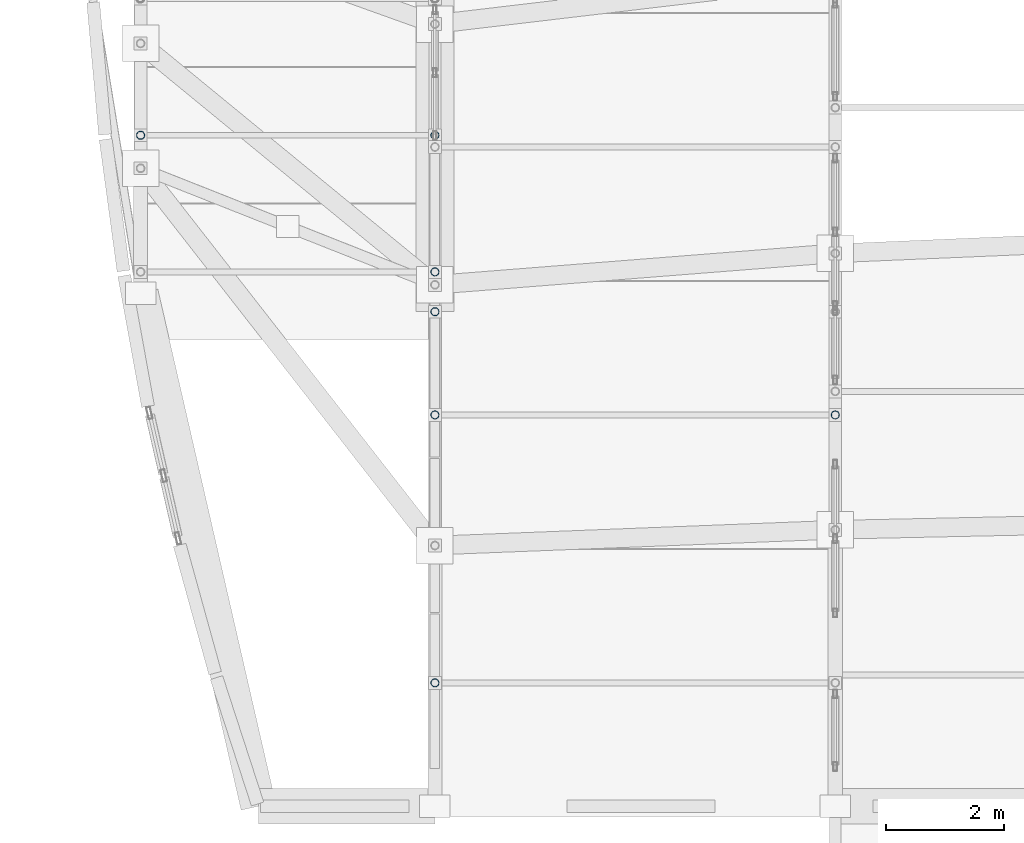
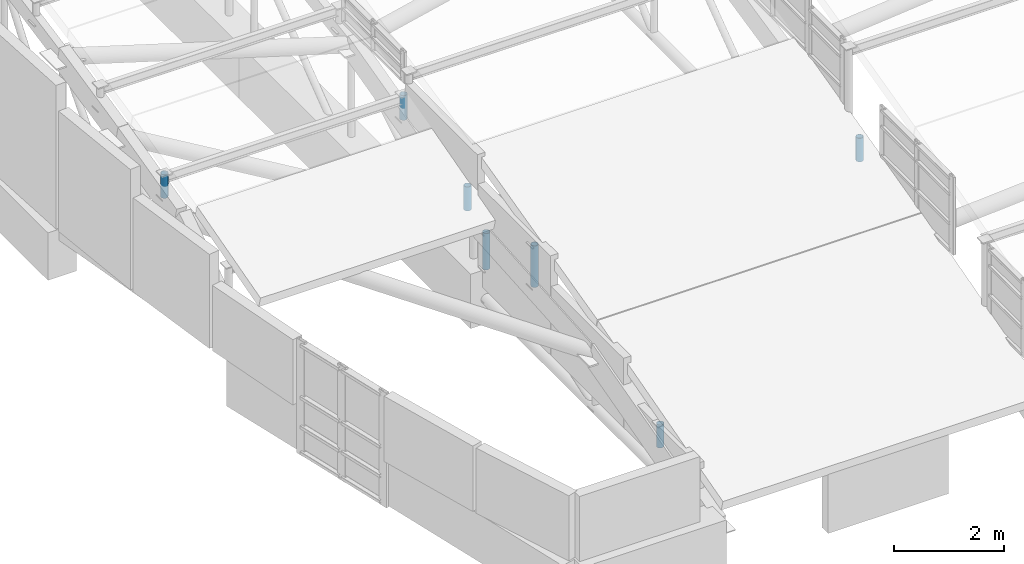
# One storey, part 139 of 188: 7 members.
"""IFC4 building model written with IfcOpenShell, lengths in metres."""

from ifc_helpers import new_model, si_unit, direction, frame, origin, origin_2d, place, context, subcontext, project, spatial, hollow_circle, extrude, material, material_profile, profile_set, type_object, element, save


model = new_model("IFC4")

# Units and contexts
model_context = context("Model", 3, precision=1e-05, world=origin(), true_north=direction((0.0, 1.0)))
body_context = subcontext(model_context, "Body", "Model", "MODEL_VIEW")
ifc_project = project(units=[si_unit("LENGTHUNIT", "METRE"), si_unit("AREAUNIT", "SQUARE_METRE"), si_unit("VOLUMEUNIT", "CUBIC_METRE"), si_unit("PLANEANGLEUNIT", "RADIAN"), si_unit("MASSUNIT", "GRAM", prefix="KILO")], contexts=[model_context])

# Site, building, storey
site_placement = place(None, origin())
site = spatial("IfcSite", under=ifc_project, at=site_placement, CompositionType="ELEMENT")
building_placement = place(site_placement, origin())
building = spatial("IfcBuilding", under=site, at=building_placement, Name="Kisaragi Civic Commons", CompositionType="ELEMENT")
storey_placement = place(building_placement, frame((0.0, 0.0, 9.60009765625)))
storey = spatial("IfcBuildingStorey", under=building, at=storey_placement, Name="L02", CompositionType="ELEMENT", Elevation=9.60009765625)

# Members
ifc_material = material(Name="Steel SN490 (SN490B)", Category="steel")
ifc_material_profile = material_profile(ifc_material, hollow_circle(Radius=0.06982421875, WallThickness=0.006103515625, at=origin_2d()), Name="CHS-139.8x6.0", Category="steel")
ifc_profile_set = profile_set([ifc_material_profile], Name="Steel SN490 (SN490B)")
member_type = type_object("IfcMemberType", Name="ST-H1", PredefinedType="STRUT", material=ifc_profile_set)
member_1_placement = place(storey_placement, frame((6.800048828125, 87.60009765625, -0.02001953125), z_axis=(0.0, 0.0, 1.0), x_axis=(1.0, 0.0, 0.0)))
element("IfcMember", 1, at=member_1_placement, inside=storey, type_object=member_type, Name="V2 interior column arch support post (6.8,87.6)", PredefinedType="STRUT", context=body_context, shape_type="SweptSolid", body=[
    extrude(hollow_circle(Radius=0.06982421875, WallThickness=0.006103515625, at=origin_2d()), origin(), (0.0, 0.0, 1.0), 0.805908203125),
])
member_2_placement = place(storey_placement, frame((6.800048828125, 88.276611328125, 0.87548828125), z_axis=(0.0, 0.0, 1.0), x_axis=(1.0, 0.0, 0.0)))
element("IfcMember", 2, at=member_2_placement, inside=storey, type_object=member_type, Name="V2 clerestory monitor horizontal tie strut 1.1.1", PredefinedType="STRUT", context=body_context, shape_type="SweptSolid", body=[
    extrude(hollow_circle(Radius=0.06982421875, WallThickness=0.006103515625, at=origin_2d()), origin(), (0.0, 0.0, 1.0), 0.52880859375),
])
member_3_placement = place(storey_placement, frame((1.800048828125, 90.59765625, 1.498779296875), z_axis=(0.0, 0.0, 1.0), x_axis=(1.0, 0.0, 0.0)))
element("IfcMember", 3, at=member_3_placement, inside=storey, type_object=member_type, Name="V2 clerestory monitor horizontal tie strut 1.0.2", PredefinedType="STRUT", context=body_context, shape_type="SweptSolid", body=[
    extrude(hollow_circle(Radius=0.06982421875, WallThickness=0.006103515625, at=origin_2d()), origin(), (0.0, 0.0, 1.0), 0.519775390625),
])
member_4_placement = place(storey_placement, frame((6.800048828125, 90.59765625, 1.47265625), z_axis=(0.0, 0.0, 1.0), x_axis=(1.0, 0.0, 0.0)))
element("IfcMember", 4, at=member_4_placement, inside=storey, type_object=member_type, Name="V2 clerestory monitor horizontal tie strut 1.1.2", PredefinedType="STRUT", context=body_context, shape_type="SweptSolid", body=[
    extrude(hollow_circle(Radius=0.06982421875, WallThickness=0.006103515625, at=origin_2d()), origin(), (0.0, 0.0, 1.0), 0.5458984375),
])
member_5_placement = place(storey_placement, frame((6.800048828125, 81.295654296875, -0.1337890625), z_axis=(0.0, 0.0, 1.0), x_axis=(1.0, 0.0, 0.0)))
element("IfcMember", 5, at=member_5_placement, inside=storey, type_object=member_type, Name="V2 clerestory monitor horizontal tie strut 2.1.1", PredefinedType="STRUT", context=body_context, shape_type="SweptSolid", body=[
    extrude(hollow_circle(Radius=0.06982421875, WallThickness=0.006103515625, at=origin_2d()), origin(), (0.0, 0.0, 1.0), 0.5068359375),
])
member_6_placement = place(storey_placement, frame((6.800048828125, 85.846923828125, 0.65771484375), z_axis=(0.0, 0.0, 1.0), x_axis=(1.0, 0.0, 0.0)))
element("IfcMember", 6, at=member_6_placement, inside=storey, type_object=member_type, Name="V2 clerestory monitor horizontal tie strut 2.1.2", PredefinedType="STRUT", context=body_context, shape_type="SweptSolid", body=[
    extrude(hollow_circle(Radius=0.06982421875, WallThickness=0.006103515625, at=origin_2d()), origin(), (0.0, 0.0, 1.0), 0.916748046875),
])
member_7_placement = place(storey_placement, frame((13.60009765625, 85.846923828125, 1.053466796875), z_axis=(0.0, 0.0, 1.0), x_axis=(1.0, 0.0, 0.0)))
element("IfcMember", 7, at=member_7_placement, inside=storey, type_object=member_type, Name="V2 clerestory monitor horizontal tie strut 2.2.2", PredefinedType="STRUT", context=body_context, shape_type="SweptSolid", body=[
    extrude(hollow_circle(Radius=0.06982421875, WallThickness=0.006103515625, at=origin_2d()), origin(), (0.0, 0.0, 1.0), 0.52099609375),
])

save(model, "model.ifc")
